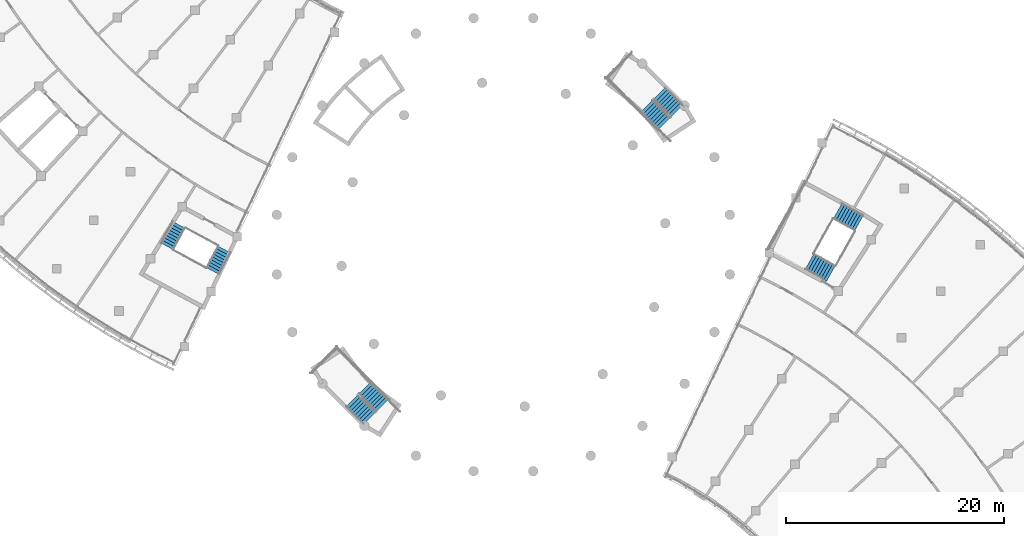
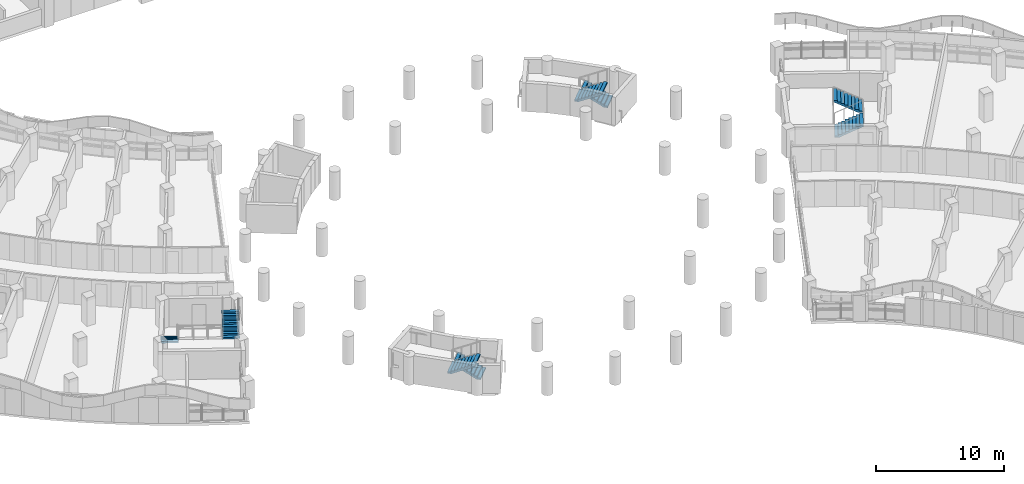
# One storey, part 63 of 89: 8 stair flights, 4 elements without a shape of their own.
"""IFC4 building model written with IfcOpenShell, lengths in metres."""

from ifc_helpers import new_model, si_unit, direction, frame, origin, place, context, subcontext, project, spatial, polyline, outline, extrude, material, type_object, element, aggregate, save


model = new_model("IFC4")

# Units and contexts
model_context = context("Model", 3, precision=1e-05, world=origin(), true_north=direction((0.0, 1.0)))
body_context = subcontext(model_context, "Body", "Model", "MODEL_VIEW")
ifc_project = project(units=[si_unit("LENGTHUNIT", "METRE"), si_unit("AREAUNIT", "SQUARE_METRE"), si_unit("VOLUMEUNIT", "CUBIC_METRE"), si_unit("PLANEANGLEUNIT", "RADIAN"), si_unit("MASSUNIT", "GRAM", prefix="KILO")], contexts=[model_context])

# Site, building, storey
site_placement = place(None, origin())
site = spatial("IfcSite", under=ifc_project, at=site_placement, CompositionType="ELEMENT")
building_placement = place(site_placement, origin())
building = spatial("IfcBuilding", under=site, at=building_placement, Name="Bougainvillea Quay General Hospital", CompositionType="ELEMENT")
storey_placement = place(building_placement, frame((0.0, 0.0, 9.89990234375)))
storey = spatial("IfcBuildingStorey", under=building, at=storey_placement, Name="L01M", CompositionType="ELEMENT", Elevation=9.89990234375)

# Stair, stair flights
ifc_material = material(Name="Concrete C35", Category="concrete")
stair_type_1 = type_object("IfcStairType", Name="Stair half-turn 1350 wide", PredefinedType="HALF_TURN_STAIR", material=ifc_material)
stair_1_placement = place(storey_placement, origin())
stair_1 = element("IfcStair", 1, at=stair_1_placement, inside=storey, type_object=stair_type_1, Name="L01M stair ST-W1", PredefinedType="HALF_TURN_STAIR")
stair_flight_type_1 = type_object("IfcStairFlightType", Name="Stair flight 1350", PredefinedType="STRAIGHT", material=ifc_material)
stair_flight_1_placement = place(storey_placement, frame((79.350830078125, 75.82470703125, 0.0), z_axis=(0.0, 0.0, 1.0), x_axis=(-0.475725718378, -0.879593679419, 0.0)))
stair_flight_1 = element("IfcStairFlight", 2, at=stair_flight_1_placement, type_object=stair_flight_type_1, Name="ST-W1 flight 1", NumberOfRisers=9, NumberOfTreads=8, PredefinedType="STRAIGHT", RiserHeight=0.15, TreadLength=0.28, context=body_context, shape_type="SweptSolid", body=[
    extrude(outline(polyline([(-0.0029296875, 0.0), (-0.0029296875, 0.003662109375), (-0.0029296875, 0.00732421875), (-0.0029296875, 0.010986328125), (-0.0029296875, 0.0146484375), (-0.0029296875, 0.018310546875), (-0.0029296875, 0.02197265625), (-0.0029296875, 0.025634765625), (-0.0029296875, 0.029296875), (-0.0029296875, 0.032958984375), (-0.0029296875, 0.03662109375), (-0.0029296875, 0.040283203125), (-0.0029296875, 0.0439453125), (-0.0029296875, 0.047607421875), (-0.0029296875, 0.05126953125), (-0.0029296875, 0.054931640625), (-0.0029296875, 0.05859375), (-0.0029296875, 0.062255859375), (-0.0029296875, 0.06591796875), (-0.0029296875, 0.069580078125), (-0.0029296875, 0.0732421875), (-0.0029296875, 0.076904296875), (-0.0029296875, 0.08056640625), (-0.0029296875, 0.084228515625), (-0.0029296875, 0.087890625), (-0.0029296875, 0.091552734375), (-0.0029296875, 0.09521484375), (-0.0029296875, 0.098876953125), (-0.0029296875, 0.1025390625), (-0.0029296875, 0.106201171875), (-0.0029296875, 0.10986328125), (-0.0029296875, 0.113525390625), (-0.0029296875, 0.1171875), (-0.0029296875, 0.120849609375), (-0.0029296875, 0.12451171875), (-0.0029296875, 0.1279296875), (-0.0029296875, 0.131591796875), (-0.0029296875, 0.13525390625), (-0.0029296875, 0.138916015625), (-0.0029296875, 0.142578125), (-0.0029296875, 0.146240234375), (-0.0029296875, 0.14990234375), (0.280029296875, 0.14990234375), (0.280029296875, 0.300048828125), (0.56005859375, 0.300048828125), (0.56005859375, 0.449951171875), (0.840087890625, 0.449951171875), (0.840087890625, 0.60009765625), (1.1201171875, 0.60009765625), (1.1201171875, 0.75), (1.39990234375, 0.75), (1.39990234375, 0.89990234375), (1.679931640625, 0.89990234375), (1.679931640625, 1.050048828125), (1.9599609375, 1.050048828125), (1.9599609375, 1.199951171875), (2.242919921875, 1.199951171875), (2.242919921875, 1.19580078125), (2.242919921875, 1.191650390625), (2.242919921875, 1.1875), (2.242919921875, 1.183349609375), (2.242919921875, 1.17919921875), (2.242919921875, 1.175048828125), (2.242919921875, 1.1708984375), (2.242919921875, 1.166748046875), (2.242919921875, 1.16259765625), (2.242919921875, 1.158447265625), (2.242919921875, 1.154296875), (2.242919921875, 1.150146484375), (2.242919921875, 1.14599609375), (2.242919921875, 1.141845703125), (2.242919921875, 1.1376953125), (2.242919921875, 1.133544921875), (2.242919921875, 1.12939453125), (2.242919921875, 1.125244140625), (2.242919921875, 1.12109375), (2.242919921875, 1.116943359375), (2.242919921875, 1.11279296875), (2.242919921875, 1.108642578125), (2.242919921875, 1.1044921875), (2.242919921875, 1.100341796875), (2.242919921875, 1.09619140625), (2.242919921875, 1.092041015625), (2.242919921875, 1.087890625), (2.242919921875, 1.083984375), (2.242919921875, 1.079833984375), (2.242919921875, 1.07568359375), (2.242919921875, 1.071533203125), (2.242919921875, 1.0673828125), (2.242919921875, 1.063232421875), (2.242919921875, 1.05908203125), (2.242919921875, 1.054931640625), (2.242919921875, 1.05078125), (2.242919921875, 1.046630859375), (2.242919921875, 1.04248046875), (2.242919921875, 1.038330078125), (2.242919921875, 1.0341796875), (2.242919921875, 1.030029296875), (0.3173828125, 0.0), (-0.0029296875, 0.0)])), frame((0.0, 0.675048828125, 0.0), z_axis=(0.0, -1.0, 0.0), x_axis=(1.0, 0.0, 0.0)), (0.0, 0.0, 1.0), 1.35009765625),
])
stair_flight_2_placement = place(storey_placement, frame((82.482421875, 71.584228515625, 1.35009765625), z_axis=(0.0, 0.0, 1.0), x_axis=(0.475725718378, 0.879593679419, 0.0)))
stair_flight_2 = element("IfcStairFlight", 3, at=stair_flight_2_placement, type_object=stair_flight_type_1, Name="ST-W1 flight 2", NumberOfRisers=9, NumberOfTreads=8, PredefinedType="STRAIGHT", RiserHeight=0.15, TreadLength=0.28, context=body_context, shape_type="SweptSolid", body=[
    extrude(outline(polyline([(-0.0029296875, 0.0), (-0.0029296875, 0.003662109375), (-0.0029296875, 0.00732421875), (-0.0029296875, 0.010986328125), (-0.0029296875, 0.0146484375), (-0.0029296875, 0.018310546875), (-0.0029296875, 0.02197265625), (-0.0029296875, 0.025634765625), (-0.0029296875, 0.029296875), (-0.0029296875, 0.032958984375), (-0.0029296875, 0.03662109375), (-0.0029296875, 0.040283203125), (-0.0029296875, 0.0439453125), (-0.0029296875, 0.047607421875), (-0.0029296875, 0.05126953125), (-0.0029296875, 0.054931640625), (-0.0029296875, 0.05859375), (-0.0029296875, 0.062255859375), (-0.0029296875, 0.06591796875), (-0.0029296875, 0.069580078125), (-0.0029296875, 0.0732421875), (-0.0029296875, 0.076904296875), (-0.0029296875, 0.08056640625), (-0.0029296875, 0.084228515625), (-0.0029296875, 0.087890625), (-0.0029296875, 0.091552734375), (-0.0029296875, 0.09521484375), (-0.0029296875, 0.098876953125), (-0.0029296875, 0.1025390625), (-0.0029296875, 0.106201171875), (-0.0029296875, 0.10986328125), (-0.0029296875, 0.113525390625), (-0.0029296875, 0.1171875), (-0.0029296875, 0.120849609375), (-0.0029296875, 0.12451171875), (-0.0029296875, 0.1279296875), (-0.0029296875, 0.131591796875), (-0.0029296875, 0.13525390625), (-0.0029296875, 0.138916015625), (-0.0029296875, 0.142578125), (-0.0029296875, 0.146240234375), (-0.0029296875, 0.14990234375), (0.280029296875, 0.14990234375), (0.280029296875, 0.300048828125), (0.56005859375, 0.300048828125), (0.56005859375, 0.449951171875), (0.840087890625, 0.449951171875), (0.840087890625, 0.60009765625), (1.1201171875, 0.60009765625), (1.1201171875, 0.75), (1.39990234375, 0.75), (1.39990234375, 0.89990234375), (1.679931640625, 0.89990234375), (1.679931640625, 1.050048828125), (1.9599609375, 1.050048828125), (1.9599609375, 1.199951171875), (2.242919921875, 1.199951171875), (2.242919921875, 1.19580078125), (2.242919921875, 1.191650390625), (2.242919921875, 1.1875), (2.242919921875, 1.183349609375), (2.242919921875, 1.17919921875), (2.242919921875, 1.175048828125), (2.242919921875, 1.1708984375), (2.242919921875, 1.166748046875), (2.242919921875, 1.16259765625), (2.242919921875, 1.158447265625), (2.242919921875, 1.154296875), (2.242919921875, 1.150146484375), (2.242919921875, 1.14599609375), (2.242919921875, 1.141845703125), (2.242919921875, 1.1376953125), (2.242919921875, 1.133544921875), (2.242919921875, 1.12939453125), (2.242919921875, 1.125244140625), (2.242919921875, 1.12109375), (2.242919921875, 1.116943359375), (2.242919921875, 1.11279296875), (2.242919921875, 1.108642578125), (2.242919921875, 1.1044921875), (2.242919921875, 1.100341796875), (2.242919921875, 1.09619140625), (2.242919921875, 1.092041015625), (2.242919921875, 1.087890625), (2.242919921875, 1.083984375), (2.242919921875, 1.079833984375), (2.242919921875, 1.07568359375), (2.242919921875, 1.071533203125), (2.242919921875, 1.0673828125), (2.242919921875, 1.063232421875), (2.242919921875, 1.05908203125), (2.242919921875, 1.054931640625), (2.242919921875, 1.05078125), (2.242919921875, 1.046630859375), (2.242919921875, 1.04248046875), (2.242919921875, 1.038330078125), (2.242919921875, 1.0341796875), (2.242919921875, 1.030029296875), (0.3173828125, 0.0), (-0.0029296875, 0.0)])), frame((0.0, 0.675048828125, 0.0), z_axis=(0.0, -1.0, 0.0), x_axis=(1.0, 0.0, 0.0)), (0.0, 0.0, 1.0), 1.35009765625),
])
aggregate(stair_1, [stair_flight_1, stair_flight_2])

stair_type_2 = type_object("IfcStairType", Name="Stair half-turn 1563 wide", PredefinedType="HALF_TURN_STAIR", material=ifc_material)
stair_2_placement = place(storey_placement, origin())
stair_2 = element("IfcStair", 4, at=stair_2_placement, inside=storey, type_object=stair_type_2, Name="L01M stair ST-H1", PredefinedType="HALF_TURN_STAIR")
stair_flight_type_2 = type_object("IfcStairFlightType", Name="Stair flight 1563", PredefinedType="STRAIGHT", material=ifc_material)
stair_flight_3_placement = place(storey_placement, frame((125.146728515625, 86.318115234375, 0.0), z_axis=(0.0, 0.0, 1.0), x_axis=(-0.707106781187, 0.707106781187, 0.0)))
stair_flight_3 = element("IfcStairFlight", 5, at=stair_flight_3_placement, type_object=stair_flight_type_2, Name="ST-H1 flight 1", NumberOfRisers=9, NumberOfTreads=8, PredefinedType="STRAIGHT", RiserHeight=0.15, TreadLength=0.28, context=body_context, shape_type="SweptSolid", body=[
    extrude(outline(polyline([(-0.0029296875, 0.0), (-0.0029296875, 0.003662109375), (-0.0029296875, 0.00732421875), (-0.0029296875, 0.010986328125), (-0.0029296875, 0.0146484375), (-0.0029296875, 0.018310546875), (-0.0029296875, 0.02197265625), (-0.0029296875, 0.025634765625), (-0.0029296875, 0.029296875), (-0.0029296875, 0.032958984375), (-0.0029296875, 0.03662109375), (-0.0029296875, 0.040283203125), (-0.0029296875, 0.0439453125), (-0.0029296875, 0.047607421875), (-0.0029296875, 0.05126953125), (-0.0029296875, 0.054931640625), (-0.0029296875, 0.05859375), (-0.0029296875, 0.062255859375), (-0.0029296875, 0.06591796875), (-0.0029296875, 0.069580078125), (-0.0029296875, 0.0732421875), (-0.0029296875, 0.076904296875), (-0.0029296875, 0.08056640625), (-0.0029296875, 0.084228515625), (-0.0029296875, 0.087890625), (-0.0029296875, 0.091552734375), (-0.0029296875, 0.09521484375), (-0.0029296875, 0.098876953125), (-0.0029296875, 0.1025390625), (-0.0029296875, 0.106201171875), (-0.0029296875, 0.10986328125), (-0.0029296875, 0.113525390625), (-0.0029296875, 0.1171875), (-0.0029296875, 0.120849609375), (-0.0029296875, 0.12451171875), (-0.0029296875, 0.1279296875), (-0.0029296875, 0.131591796875), (-0.0029296875, 0.13525390625), (-0.0029296875, 0.138916015625), (-0.0029296875, 0.142578125), (-0.0029296875, 0.146240234375), (-0.0029296875, 0.14990234375), (0.280029296875, 0.14990234375), (0.280029296875, 0.300048828125), (0.56005859375, 0.300048828125), (0.56005859375, 0.449951171875), (0.840087890625, 0.449951171875), (0.840087890625, 0.60009765625), (1.1201171875, 0.60009765625), (1.1201171875, 0.75), (1.39990234375, 0.75), (1.39990234375, 0.89990234375), (1.679931640625, 0.89990234375), (1.679931640625, 1.050048828125), (1.9599609375, 1.050048828125), (1.9599609375, 1.199951171875), (2.242919921875, 1.199951171875), (2.242919921875, 1.19580078125), (2.242919921875, 1.191650390625), (2.242919921875, 1.1875), (2.242919921875, 1.183349609375), (2.242919921875, 1.17919921875), (2.242919921875, 1.175048828125), (2.242919921875, 1.1708984375), (2.242919921875, 1.166748046875), (2.242919921875, 1.16259765625), (2.242919921875, 1.158447265625), (2.242919921875, 1.154296875), (2.242919921875, 1.150146484375), (2.242919921875, 1.14599609375), (2.242919921875, 1.141845703125), (2.242919921875, 1.1376953125), (2.242919921875, 1.133544921875), (2.242919921875, 1.12939453125), (2.242919921875, 1.125244140625), (2.242919921875, 1.12109375), (2.242919921875, 1.116943359375), (2.242919921875, 1.11279296875), (2.242919921875, 1.108642578125), (2.242919921875, 1.1044921875), (2.242919921875, 1.100341796875), (2.242919921875, 1.09619140625), (2.242919921875, 1.092041015625), (2.242919921875, 1.087890625), (2.242919921875, 1.083984375), (2.242919921875, 1.079833984375), (2.242919921875, 1.07568359375), (2.242919921875, 1.071533203125), (2.242919921875, 1.0673828125), (2.242919921875, 1.063232421875), (2.242919921875, 1.05908203125), (2.242919921875, 1.054931640625), (2.242919921875, 1.05078125), (2.242919921875, 1.046630859375), (2.242919921875, 1.04248046875), (2.242919921875, 1.038330078125), (2.242919921875, 1.0341796875), (2.242919921875, 1.030029296875), (0.3173828125, 0.0), (-0.0029296875, 0.0)])), frame((0.0, 0.781494140625, 0.0), z_axis=(0.0, -1.0, 0.0), x_axis=(1.0, 0.0, 0.0)), (0.0, 0.0, 1.0), 1.56298828125),
])
stair_flight_4_placement = place(storey_placement, frame((122.38671875, 86.72607421875, 1.35009765625), z_axis=(0.0, 0.0, 1.0), x_axis=(0.707106781187, -0.707106781187, 0.0)))
stair_flight_4 = element("IfcStairFlight", 6, at=stair_flight_4_placement, type_object=stair_flight_type_2, Name="ST-H1 flight 2", NumberOfRisers=9, NumberOfTreads=8, PredefinedType="STRAIGHT", RiserHeight=0.15, TreadLength=0.28, context=body_context, shape_type="SweptSolid", body=[
    extrude(outline(polyline([(-0.0029296875, 0.0), (-0.0029296875, 0.003662109375), (-0.0029296875, 0.00732421875), (-0.0029296875, 0.010986328125), (-0.0029296875, 0.0146484375), (-0.0029296875, 0.018310546875), (-0.0029296875, 0.02197265625), (-0.0029296875, 0.025634765625), (-0.0029296875, 0.029296875), (-0.0029296875, 0.032958984375), (-0.0029296875, 0.03662109375), (-0.0029296875, 0.040283203125), (-0.0029296875, 0.0439453125), (-0.0029296875, 0.047607421875), (-0.0029296875, 0.05126953125), (-0.0029296875, 0.054931640625), (-0.0029296875, 0.05859375), (-0.0029296875, 0.062255859375), (-0.0029296875, 0.06591796875), (-0.0029296875, 0.069580078125), (-0.0029296875, 0.0732421875), (-0.0029296875, 0.076904296875), (-0.0029296875, 0.08056640625), (-0.0029296875, 0.084228515625), (-0.0029296875, 0.087890625), (-0.0029296875, 0.091552734375), (-0.0029296875, 0.09521484375), (-0.0029296875, 0.098876953125), (-0.0029296875, 0.1025390625), (-0.0029296875, 0.106201171875), (-0.0029296875, 0.10986328125), (-0.0029296875, 0.113525390625), (-0.0029296875, 0.1171875), (-0.0029296875, 0.120849609375), (-0.0029296875, 0.12451171875), (-0.0029296875, 0.1279296875), (-0.0029296875, 0.131591796875), (-0.0029296875, 0.13525390625), (-0.0029296875, 0.138916015625), (-0.0029296875, 0.142578125), (-0.0029296875, 0.146240234375), (-0.0029296875, 0.14990234375), (0.280029296875, 0.14990234375), (0.280029296875, 0.300048828125), (0.56005859375, 0.300048828125), (0.56005859375, 0.449951171875), (0.840087890625, 0.449951171875), (0.840087890625, 0.60009765625), (1.1201171875, 0.60009765625), (1.1201171875, 0.75), (1.39990234375, 0.75), (1.39990234375, 0.89990234375), (1.679931640625, 0.89990234375), (1.679931640625, 1.050048828125), (1.9599609375, 1.050048828125), (1.9599609375, 1.199951171875), (2.242919921875, 1.199951171875), (2.242919921875, 1.19580078125), (2.242919921875, 1.191650390625), (2.242919921875, 1.1875), (2.242919921875, 1.183349609375), (2.242919921875, 1.17919921875), (2.242919921875, 1.175048828125), (2.242919921875, 1.1708984375), (2.242919921875, 1.166748046875), (2.242919921875, 1.16259765625), (2.242919921875, 1.158447265625), (2.242919921875, 1.154296875), (2.242919921875, 1.150146484375), (2.242919921875, 1.14599609375), (2.242919921875, 1.141845703125), (2.242919921875, 1.1376953125), (2.242919921875, 1.133544921875), (2.242919921875, 1.12939453125), (2.242919921875, 1.125244140625), (2.242919921875, 1.12109375), (2.242919921875, 1.116943359375), (2.242919921875, 1.11279296875), (2.242919921875, 1.108642578125), (2.242919921875, 1.1044921875), (2.242919921875, 1.100341796875), (2.242919921875, 1.09619140625), (2.242919921875, 1.092041015625), (2.242919921875, 1.087890625), (2.242919921875, 1.083984375), (2.242919921875, 1.079833984375), (2.242919921875, 1.07568359375), (2.242919921875, 1.071533203125), (2.242919921875, 1.0673828125), (2.242919921875, 1.063232421875), (2.242919921875, 1.05908203125), (2.242919921875, 1.054931640625), (2.242919921875, 1.05078125), (2.242919921875, 1.046630859375), (2.242919921875, 1.04248046875), (2.242919921875, 1.038330078125), (2.242919921875, 1.0341796875), (2.242919921875, 1.030029296875), (0.3173828125, 0.0), (-0.0029296875, 0.0)])), frame((0.0, 0.781494140625, 0.0), z_axis=(0.0, -1.0, 0.0), x_axis=(1.0, 0.0, 0.0)), (0.0, 0.0, 1.0), 1.56298828125),
])
aggregate(stair_2, [stair_flight_3, stair_flight_4])

stair_3_placement = place(storey_placement, origin())
stair_3 = element("IfcStair", 7, at=stair_3_placement, inside=storey, type_object=stair_type_2, Name="L01M stair ST-H2", PredefinedType="HALF_TURN_STAIR")
stair_flight_5_placement = place(storey_placement, frame((98.057861328125, 59.229248046875, 0.0), z_axis=(0.0, 0.0, 1.0), x_axis=(-0.707106781187, 0.707106781187, 0.0)))
stair_flight_5 = element("IfcStairFlight", 8, at=stair_flight_5_placement, type_object=stair_flight_type_2, Name="ST-H2 flight 1", NumberOfRisers=9, NumberOfTreads=8, PredefinedType="STRAIGHT", RiserHeight=0.15, TreadLength=0.28, context=body_context, shape_type="SweptSolid", body=[
    extrude(outline(polyline([(-0.0029296875, 0.0), (-0.0029296875, 0.003662109375), (-0.0029296875, 0.00732421875), (-0.0029296875, 0.010986328125), (-0.0029296875, 0.0146484375), (-0.0029296875, 0.018310546875), (-0.0029296875, 0.02197265625), (-0.0029296875, 0.025634765625), (-0.0029296875, 0.029296875), (-0.0029296875, 0.032958984375), (-0.0029296875, 0.03662109375), (-0.0029296875, 0.040283203125), (-0.0029296875, 0.0439453125), (-0.0029296875, 0.047607421875), (-0.0029296875, 0.05126953125), (-0.0029296875, 0.054931640625), (-0.0029296875, 0.05859375), (-0.0029296875, 0.062255859375), (-0.0029296875, 0.06591796875), (-0.0029296875, 0.069580078125), (-0.0029296875, 0.0732421875), (-0.0029296875, 0.076904296875), (-0.0029296875, 0.08056640625), (-0.0029296875, 0.084228515625), (-0.0029296875, 0.087890625), (-0.0029296875, 0.091552734375), (-0.0029296875, 0.09521484375), (-0.0029296875, 0.098876953125), (-0.0029296875, 0.1025390625), (-0.0029296875, 0.106201171875), (-0.0029296875, 0.10986328125), (-0.0029296875, 0.113525390625), (-0.0029296875, 0.1171875), (-0.0029296875, 0.120849609375), (-0.0029296875, 0.12451171875), (-0.0029296875, 0.1279296875), (-0.0029296875, 0.131591796875), (-0.0029296875, 0.13525390625), (-0.0029296875, 0.138916015625), (-0.0029296875, 0.142578125), (-0.0029296875, 0.146240234375), (-0.0029296875, 0.14990234375), (0.280029296875, 0.14990234375), (0.280029296875, 0.300048828125), (0.56005859375, 0.300048828125), (0.56005859375, 0.449951171875), (0.840087890625, 0.449951171875), (0.840087890625, 0.60009765625), (1.1201171875, 0.60009765625), (1.1201171875, 0.75), (1.39990234375, 0.75), (1.39990234375, 0.89990234375), (1.679931640625, 0.89990234375), (1.679931640625, 1.050048828125), (1.9599609375, 1.050048828125), (1.9599609375, 1.199951171875), (2.242919921875, 1.199951171875), (2.242919921875, 1.19580078125), (2.242919921875, 1.191650390625), (2.242919921875, 1.1875), (2.242919921875, 1.183349609375), (2.242919921875, 1.17919921875), (2.242919921875, 1.175048828125), (2.242919921875, 1.1708984375), (2.242919921875, 1.166748046875), (2.242919921875, 1.16259765625), (2.242919921875, 1.158447265625), (2.242919921875, 1.154296875), (2.242919921875, 1.150146484375), (2.242919921875, 1.14599609375), (2.242919921875, 1.141845703125), (2.242919921875, 1.1376953125), (2.242919921875, 1.133544921875), (2.242919921875, 1.12939453125), (2.242919921875, 1.125244140625), (2.242919921875, 1.12109375), (2.242919921875, 1.116943359375), (2.242919921875, 1.11279296875), (2.242919921875, 1.108642578125), (2.242919921875, 1.1044921875), (2.242919921875, 1.100341796875), (2.242919921875, 1.09619140625), (2.242919921875, 1.092041015625), (2.242919921875, 1.087890625), (2.242919921875, 1.083984375), (2.242919921875, 1.079833984375), (2.242919921875, 1.07568359375), (2.242919921875, 1.071533203125), (2.242919921875, 1.0673828125), (2.242919921875, 1.063232421875), (2.242919921875, 1.05908203125), (2.242919921875, 1.054931640625), (2.242919921875, 1.05078125), (2.242919921875, 1.046630859375), (2.242919921875, 1.04248046875), (2.242919921875, 1.038330078125), (2.242919921875, 1.0341796875), (2.242919921875, 1.030029296875), (0.3173828125, 0.0), (-0.0029296875, 0.0)])), frame((0.0, 0.781494140625, 0.0), z_axis=(0.0, -1.0, 0.0), x_axis=(1.0, 0.0, 0.0)), (0.0, 0.0, 1.0), 1.56298828125),
])
stair_flight_6_placement = place(storey_placement, frame((95.298095703125, 59.63720703125, 1.35009765625), z_axis=(0.0, 0.0, 1.0), x_axis=(0.707106781187, -0.707106781187, 0.0)))
stair_flight_6 = element("IfcStairFlight", 9, at=stair_flight_6_placement, type_object=stair_flight_type_2, Name="ST-H2 flight 2", NumberOfRisers=9, NumberOfTreads=8, PredefinedType="STRAIGHT", RiserHeight=0.15, TreadLength=0.28, context=body_context, shape_type="SweptSolid", body=[
    extrude(outline(polyline([(-0.0029296875, 0.0), (-0.0029296875, 0.003662109375), (-0.0029296875, 0.00732421875), (-0.0029296875, 0.010986328125), (-0.0029296875, 0.0146484375), (-0.0029296875, 0.018310546875), (-0.0029296875, 0.02197265625), (-0.0029296875, 0.025634765625), (-0.0029296875, 0.029296875), (-0.0029296875, 0.032958984375), (-0.0029296875, 0.03662109375), (-0.0029296875, 0.040283203125), (-0.0029296875, 0.0439453125), (-0.0029296875, 0.047607421875), (-0.0029296875, 0.05126953125), (-0.0029296875, 0.054931640625), (-0.0029296875, 0.05859375), (-0.0029296875, 0.062255859375), (-0.0029296875, 0.06591796875), (-0.0029296875, 0.069580078125), (-0.0029296875, 0.0732421875), (-0.0029296875, 0.076904296875), (-0.0029296875, 0.08056640625), (-0.0029296875, 0.084228515625), (-0.0029296875, 0.087890625), (-0.0029296875, 0.091552734375), (-0.0029296875, 0.09521484375), (-0.0029296875, 0.098876953125), (-0.0029296875, 0.1025390625), (-0.0029296875, 0.106201171875), (-0.0029296875, 0.10986328125), (-0.0029296875, 0.113525390625), (-0.0029296875, 0.1171875), (-0.0029296875, 0.120849609375), (-0.0029296875, 0.12451171875), (-0.0029296875, 0.1279296875), (-0.0029296875, 0.131591796875), (-0.0029296875, 0.13525390625), (-0.0029296875, 0.138916015625), (-0.0029296875, 0.142578125), (-0.0029296875, 0.146240234375), (-0.0029296875, 0.14990234375), (0.280029296875, 0.14990234375), (0.280029296875, 0.300048828125), (0.56005859375, 0.300048828125), (0.56005859375, 0.449951171875), (0.840087890625, 0.449951171875), (0.840087890625, 0.60009765625), (1.1201171875, 0.60009765625), (1.1201171875, 0.75), (1.39990234375, 0.75), (1.39990234375, 0.89990234375), (1.679931640625, 0.89990234375), (1.679931640625, 1.050048828125), (1.9599609375, 1.050048828125), (1.9599609375, 1.199951171875), (2.242919921875, 1.199951171875), (2.242919921875, 1.19580078125), (2.242919921875, 1.191650390625), (2.242919921875, 1.1875), (2.242919921875, 1.183349609375), (2.242919921875, 1.17919921875), (2.242919921875, 1.175048828125), (2.242919921875, 1.1708984375), (2.242919921875, 1.166748046875), (2.242919921875, 1.16259765625), (2.242919921875, 1.158447265625), (2.242919921875, 1.154296875), (2.242919921875, 1.150146484375), (2.242919921875, 1.14599609375), (2.242919921875, 1.141845703125), (2.242919921875, 1.1376953125), (2.242919921875, 1.133544921875), (2.242919921875, 1.12939453125), (2.242919921875, 1.125244140625), (2.242919921875, 1.12109375), (2.242919921875, 1.116943359375), (2.242919921875, 1.11279296875), (2.242919921875, 1.108642578125), (2.242919921875, 1.1044921875), (2.242919921875, 1.100341796875), (2.242919921875, 1.09619140625), (2.242919921875, 1.092041015625), (2.242919921875, 1.087890625), (2.242919921875, 1.083984375), (2.242919921875, 1.079833984375), (2.242919921875, 1.07568359375), (2.242919921875, 1.071533203125), (2.242919921875, 1.0673828125), (2.242919921875, 1.063232421875), (2.242919921875, 1.05908203125), (2.242919921875, 1.054931640625), (2.242919921875, 1.05078125), (2.242919921875, 1.046630859375), (2.242919921875, 1.04248046875), (2.242919921875, 1.038330078125), (2.242919921875, 1.0341796875), (2.242919921875, 1.030029296875), (0.3173828125, 0.0), (-0.0029296875, 0.0)])), frame((0.0, 0.781494140625, 0.0), z_axis=(0.0, -1.0, 0.0), x_axis=(1.0, 0.0, 0.0)), (0.0, 0.0, 1.0), 1.56298828125),
])
aggregate(stair_3, [stair_flight_5, stair_flight_6])

stair_type_3 = type_object("IfcStairType", Name="Stair half-turn 1650 wide", PredefinedType="HALF_TURN_STAIR", material=ifc_material)
stair_4_placement = place(storey_placement, origin())
stair_4 = element("IfcStair", 10, at=stair_4_placement, inside=storey, type_object=stair_type_3, Name="L01M stair ST-E1", PredefinedType="HALF_TURN_STAIR")
stair_flight_type_3 = type_object("IfcStairFlightType", Name="Stair flight 1650", PredefinedType="STRAIGHT", material=ifc_material)
stair_flight_7_placement = place(storey_placement, frame((141.89208984375, 75.99267578125, 0.0), z_axis=(0.0, 0.0, 1.0), x_axis=(-0.873300754664, 0.487181477382, 0.0)))
stair_flight_7 = element("IfcStairFlight", 11, at=stair_flight_7_placement, type_object=stair_flight_type_3, Name="ST-E1 flight 1", NumberOfRisers=9, NumberOfTreads=8, PredefinedType="STRAIGHT", RiserHeight=0.15, TreadLength=0.28, context=body_context, shape_type="SweptSolid", body=[
    extrude(outline(polyline([(-0.0029296875, 0.0), (-0.0029296875, 0.003662109375), (-0.0029296875, 0.00732421875), (-0.0029296875, 0.010986328125), (-0.0029296875, 0.0146484375), (-0.0029296875, 0.018310546875), (-0.0029296875, 0.02197265625), (-0.0029296875, 0.025634765625), (-0.0029296875, 0.029296875), (-0.0029296875, 0.032958984375), (-0.0029296875, 0.03662109375), (-0.0029296875, 0.040283203125), (-0.0029296875, 0.0439453125), (-0.0029296875, 0.047607421875), (-0.0029296875, 0.05126953125), (-0.0029296875, 0.054931640625), (-0.0029296875, 0.05859375), (-0.0029296875, 0.062255859375), (-0.0029296875, 0.06591796875), (-0.0029296875, 0.069580078125), (-0.0029296875, 0.0732421875), (-0.0029296875, 0.076904296875), (-0.0029296875, 0.08056640625), (-0.0029296875, 0.084228515625), (-0.0029296875, 0.087890625), (-0.0029296875, 0.091552734375), (-0.0029296875, 0.09521484375), (-0.0029296875, 0.098876953125), (-0.0029296875, 0.1025390625), (-0.0029296875, 0.106201171875), (-0.0029296875, 0.10986328125), (-0.0029296875, 0.113525390625), (-0.0029296875, 0.1171875), (-0.0029296875, 0.120849609375), (-0.0029296875, 0.12451171875), (-0.0029296875, 0.1279296875), (-0.0029296875, 0.131591796875), (-0.0029296875, 0.13525390625), (-0.0029296875, 0.138916015625), (-0.0029296875, 0.142578125), (-0.0029296875, 0.146240234375), (-0.0029296875, 0.14990234375), (0.280029296875, 0.14990234375), (0.280029296875, 0.300048828125), (0.56005859375, 0.300048828125), (0.56005859375, 0.449951171875), (0.840087890625, 0.449951171875), (0.840087890625, 0.60009765625), (1.1201171875, 0.60009765625), (1.1201171875, 0.75), (1.39990234375, 0.75), (1.39990234375, 0.89990234375), (1.679931640625, 0.89990234375), (1.679931640625, 1.050048828125), (1.9599609375, 1.050048828125), (1.9599609375, 1.199951171875), (2.242919921875, 1.199951171875), (2.242919921875, 1.19580078125), (2.242919921875, 1.191650390625), (2.242919921875, 1.1875), (2.242919921875, 1.183349609375), (2.242919921875, 1.17919921875), (2.242919921875, 1.175048828125), (2.242919921875, 1.1708984375), (2.242919921875, 1.166748046875), (2.242919921875, 1.16259765625), (2.242919921875, 1.158447265625), (2.242919921875, 1.154296875), (2.242919921875, 1.150146484375), (2.242919921875, 1.14599609375), (2.242919921875, 1.141845703125), (2.242919921875, 1.1376953125), (2.242919921875, 1.133544921875), (2.242919921875, 1.12939453125), (2.242919921875, 1.125244140625), (2.242919921875, 1.12109375), (2.242919921875, 1.116943359375), (2.242919921875, 1.11279296875), (2.242919921875, 1.108642578125), (2.242919921875, 1.1044921875), (2.242919921875, 1.100341796875), (2.242919921875, 1.09619140625), (2.242919921875, 1.092041015625), (2.242919921875, 1.087890625), (2.242919921875, 1.083984375), (2.242919921875, 1.079833984375), (2.242919921875, 1.07568359375), (2.242919921875, 1.071533203125), (2.242919921875, 1.0673828125), (2.242919921875, 1.063232421875), (2.242919921875, 1.05908203125), (2.242919921875, 1.054931640625), (2.242919921875, 1.05078125), (2.242919921875, 1.046630859375), (2.242919921875, 1.04248046875), (2.242919921875, 1.038330078125), (2.242919921875, 1.0341796875), (2.242919921875, 1.030029296875), (0.3173828125, 0.0), (-0.0029296875, 0.0)])), frame((0.0, 0.824951171875, 0.0), z_axis=(0.0, -1.0, 0.0), x_axis=(1.0, 0.0, 0.0)), (0.0, 0.0, 1.0), 1.64990234375),
])
stair_flight_8_placement = place(storey_placement, frame((137.35009765625, 72.448974609375, 1.35009765625), z_axis=(0.0, 0.0, 1.0), x_axis=(0.873300754664, -0.487181477382, 0.0)))
stair_flight_8 = element("IfcStairFlight", 12, at=stair_flight_8_placement, type_object=stair_flight_type_3, Name="ST-E1 flight 2", NumberOfRisers=9, NumberOfTreads=8, PredefinedType="STRAIGHT", RiserHeight=0.15, TreadLength=0.28, context=body_context, shape_type="SweptSolid", body=[
    extrude(outline(polyline([(-0.0029296875, 0.0), (-0.0029296875, 0.003662109375), (-0.0029296875, 0.00732421875), (-0.0029296875, 0.010986328125), (-0.0029296875, 0.0146484375), (-0.0029296875, 0.018310546875), (-0.0029296875, 0.02197265625), (-0.0029296875, 0.025634765625), (-0.0029296875, 0.029296875), (-0.0029296875, 0.032958984375), (-0.0029296875, 0.03662109375), (-0.0029296875, 0.040283203125), (-0.0029296875, 0.0439453125), (-0.0029296875, 0.047607421875), (-0.0029296875, 0.05126953125), (-0.0029296875, 0.054931640625), (-0.0029296875, 0.05859375), (-0.0029296875, 0.062255859375), (-0.0029296875, 0.06591796875), (-0.0029296875, 0.069580078125), (-0.0029296875, 0.0732421875), (-0.0029296875, 0.076904296875), (-0.0029296875, 0.08056640625), (-0.0029296875, 0.084228515625), (-0.0029296875, 0.087890625), (-0.0029296875, 0.091552734375), (-0.0029296875, 0.09521484375), (-0.0029296875, 0.098876953125), (-0.0029296875, 0.1025390625), (-0.0029296875, 0.106201171875), (-0.0029296875, 0.10986328125), (-0.0029296875, 0.113525390625), (-0.0029296875, 0.1171875), (-0.0029296875, 0.120849609375), (-0.0029296875, 0.12451171875), (-0.0029296875, 0.1279296875), (-0.0029296875, 0.131591796875), (-0.0029296875, 0.13525390625), (-0.0029296875, 0.138916015625), (-0.0029296875, 0.142578125), (-0.0029296875, 0.146240234375), (-0.0029296875, 0.14990234375), (0.280029296875, 0.14990234375), (0.280029296875, 0.300048828125), (0.56005859375, 0.300048828125), (0.56005859375, 0.449951171875), (0.840087890625, 0.449951171875), (0.840087890625, 0.60009765625), (1.1201171875, 0.60009765625), (1.1201171875, 0.75), (1.39990234375, 0.75), (1.39990234375, 0.89990234375), (1.679931640625, 0.89990234375), (1.679931640625, 1.050048828125), (1.9599609375, 1.050048828125), (1.9599609375, 1.199951171875), (2.242919921875, 1.199951171875), (2.242919921875, 1.19580078125), (2.242919921875, 1.191650390625), (2.242919921875, 1.1875), (2.242919921875, 1.183349609375), (2.242919921875, 1.17919921875), (2.242919921875, 1.175048828125), (2.242919921875, 1.1708984375), (2.242919921875, 1.166748046875), (2.242919921875, 1.16259765625), (2.242919921875, 1.158447265625), (2.242919921875, 1.154296875), (2.242919921875, 1.150146484375), (2.242919921875, 1.14599609375), (2.242919921875, 1.141845703125), (2.242919921875, 1.1376953125), (2.242919921875, 1.133544921875), (2.242919921875, 1.12939453125), (2.242919921875, 1.125244140625), (2.242919921875, 1.12109375), (2.242919921875, 1.116943359375), (2.242919921875, 1.11279296875), (2.242919921875, 1.108642578125), (2.242919921875, 1.1044921875), (2.242919921875, 1.100341796875), (2.242919921875, 1.09619140625), (2.242919921875, 1.092041015625), (2.242919921875, 1.087890625), (2.242919921875, 1.083984375), (2.242919921875, 1.079833984375), (2.242919921875, 1.07568359375), (2.242919921875, 1.071533203125), (2.242919921875, 1.0673828125), (2.242919921875, 1.063232421875), (2.242919921875, 1.05908203125), (2.242919921875, 1.054931640625), (2.242919921875, 1.05078125), (2.242919921875, 1.046630859375), (2.242919921875, 1.04248046875), (2.242919921875, 1.038330078125), (2.242919921875, 1.0341796875), (2.242919921875, 1.030029296875), (0.3173828125, 0.0), (-0.0029296875, 0.0)])), frame((0.0, 0.824951171875, 0.0), z_axis=(0.0, -1.0, 0.0), x_axis=(1.0, 0.0, 0.0)), (0.0, 0.0, 1.0), 1.64990234375),
])
aggregate(stair_4, [stair_flight_7, stair_flight_8])

save(model, "model.ifc")
